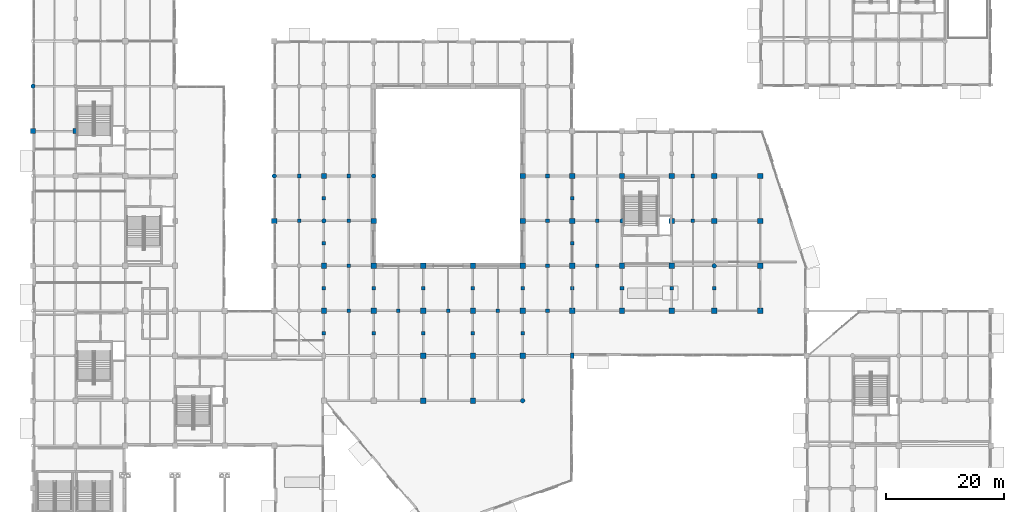
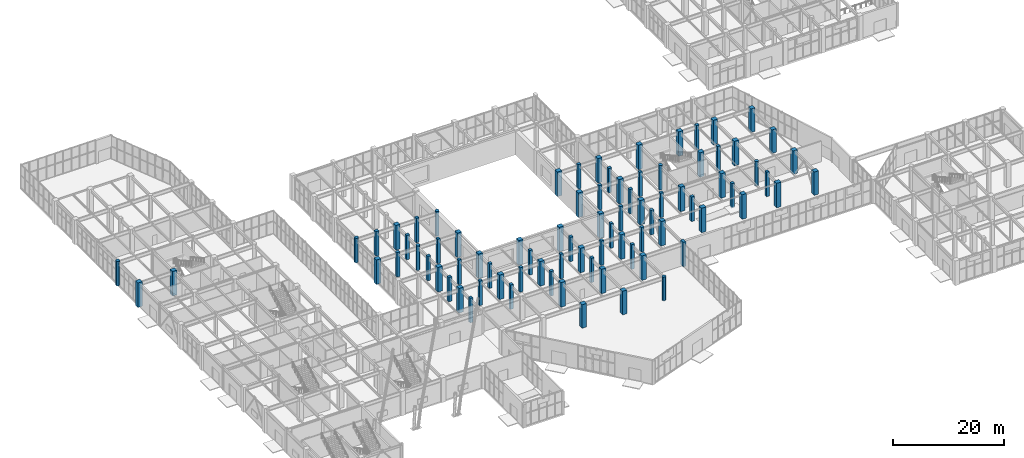
# One storey, part 4 of 139: 83 columns.
"""IFC4 building model written with IfcOpenShell, lengths in metres."""

from ifc_helpers import new_model, si_unit, direction, frame, origin, origin_2d, place, context, subcontext, project, spatial, rectangle, circle, extrude, material, material_profile, profile_set, type_object, element, save


model = new_model("IFC4")

# Units and contexts
model_context = context("Model", 3, precision=1e-05, world=origin(), true_north=direction((0.0, 1.0)))
body_context = subcontext(model_context, "Body", "Model", "MODEL_VIEW")
ifc_project = project(units=[si_unit("LENGTHUNIT", "METRE"), si_unit("AREAUNIT", "SQUARE_METRE"), si_unit("VOLUMEUNIT", "CUBIC_METRE"), si_unit("PLANEANGLEUNIT", "RADIAN"), si_unit("MASSUNIT", "GRAM", prefix="KILO")], contexts=[model_context])

# Site, building, storey
site_placement = place(None, origin())
site = spatial("IfcSite", under=ifc_project, at=site_placement, CompositionType="ELEMENT")
building_placement = place(site_placement, origin())
building = spatial("IfcBuilding", under=site, at=building_placement, Name="Xicomal Pleat Aquarium", CompositionType="ELEMENT")
storey_placement = place(building_placement, origin())
storey = spatial("IfcBuildingStorey", under=building, at=storey_placement, Name="L01", CompositionType="ELEMENT", Elevation=0.0)

# Columns
ifc_material_1 = material(Name="Concrete C40/50", Category="concrete")
ifc_material_profile_1 = material_profile(ifc_material_1, rectangle(XDim=0.60009765625, YDim=0.60009765625, at=origin_2d()), Name="RC 600x600")
ifc_profile_set_1 = profile_set([ifc_material_profile_1], Name="Concrete C40/50")
column_type_1 = type_object("IfcColumnType", Name="COL-RC-600x600", PredefinedType="COLUMN", material=ifc_profile_set_1)
for number, where, z_axis, x_axis, name in (
    (1, (48.0, 53.199951171875, 0.0), (0.0, 0.0, 1.0), (1.0, 0.0, 0.0), "L01 intermediate support column SUB-03"),
    (2, (48.0, 60.800048828125, 0.0), (0.0, 0.0, 1.0), (1.0, 0.0, 0.0), "L01 intermediate support column SUB-04"),
    (3, (56.39990234375, 38.0, 0.0), (0.0, 0.0, 1.0), (1.0, 0.0, 0.0), "L01 intermediate support column SUB-06"),
    (4, (56.39990234375, 45.60009765625, 0.0), (0.0, 0.0, 1.0), (1.0, 0.0, 0.0), "L01 intermediate support column SUB-07"),
    (5, (56.39990234375, 53.199951171875, 0.0), (0.0, 0.0, 1.0), (1.0, 0.0, 0.0), "L01 intermediate support column SUB-08"),
    (6, (56.39990234375, 60.800048828125, 0.0), (0.0, 0.0, 1.0), (1.0, 0.0, 0.0), "L01 intermediate support column SUB-09"),
    (7, (64.800048828125, 38.0, 0.0), (0.0, 0.0, 1.0), (1.0, 0.0, 0.0), "L01 intermediate support column SUB-11"),
    (8, (73.199951171875, 38.0, 0.0), (0.0, 0.0, 1.0), (1.0, 0.0, 0.0), "L01 intermediate support column SUB-12"),
    (9, (81.60009765625, 38.0, 0.0), (0.0, 0.0, 1.0), (1.0, 0.0, 0.0), "L01 intermediate support column SUB-13"),
    (10, (90.0, 38.0, 0.0), (0.0, 0.0, 1.0), (1.0, 0.0, 0.0), "L01 intermediate support column SUB-14"),
    (11, (90.0, 45.60009765625, 0.0), (0.0, 0.0, 1.0), (1.0, 0.0, 0.0), "L01 intermediate support column SUB-15"),
    (12, (90.0, 53.199951171875, 0.0), (0.0, 0.0, 1.0), (1.0, 0.0, 0.0), "L01 intermediate support column SUB-16"),
    (13, (90.0, 60.800048828125, 0.0), (0.0, 0.0, 1.0), (1.0, 0.0, 0.0), "L01 intermediate support column SUB-17"),
    (14, (98.39990234375, 45.60009765625, 0.0), (0.0, 0.0, 1.0), (1.0, 0.0, 0.0), "L01 intermediate support column SUB-20"),
    (15, (98.39990234375, 53.199951171875, 0.0), (0.0, 0.0, 1.0), (1.0, 0.0, 0.0), "L01 intermediate support column SUB-21"),
    (16, (114.60009765625, 53.199951171875, 0.0), (0.0, 0.0, 1.0), (1.0, 0.0, 0.0), "L01 intermediate support column SUB-22"),
    (17, (114.60009765625, 60.800048828125, 0.0), (0.0, 0.0, 1.0), (1.0, 0.0, 0.0), "L01 intermediate support column SUB-23"),
    (18, (52.199951171875, 34.199951171875, 0.0), (0.0, 0.0, 1.0), (1.0, 0.0, 0.0), "L01 intermediate support column SUB-34"),
    (19, (52.199951171875, 41.800048828125, 0.0), (0.0, 0.0, 1.0), (1.0, 0.0, 0.0), "L01 intermediate support column SUB-35"),
    (20, (52.199951171875, 49.39990234375, 0.0), (0.0, 0.0, 1.0), (1.0, 0.0, 0.0), "L01 intermediate support column SUB-36"),
    (21, (52.199951171875, 57.0, 0.0), (0.0, 0.0, 1.0), (1.0, 0.0, 0.0), "L01 intermediate support column SUB-37"),
    (22, (60.60009765625, 34.199951171875, 0.0), (0.0, 0.0, 1.0), (1.0, 0.0, 0.0), "L01 intermediate support column SUB-41"),
    (23, (60.60009765625, 41.800048828125, 0.0), (0.0, 0.0, 1.0), (1.0, 0.0, 0.0), "L01 intermediate support column SUB-42"),
    (24, (69.0, 34.199951171875, 0.0), (0.0, 0.0, 1.0), (1.0, 0.0, 0.0), "L01 intermediate support column SUB-44"),
    (25, (69.0, 41.800048828125, 0.0), (0.0, 0.0, 1.0), (1.0, 0.0, 0.0), "L01 intermediate support column SUB-45"),
    (26, (77.39990234375, 34.199951171875, 0.0), (0.0, 0.0, 1.0), (1.0, 0.0, 0.0), "L01 intermediate support column SUB-47"),
    (27, (77.39990234375, 41.800048828125, 0.0), (0.0, 0.0, 1.0), (1.0, 0.0, 0.0), "L01 intermediate support column SUB-48"),
    (28, (85.800048828125, 34.199951171875, 0.0), (0.0, 0.0, 1.0), (1.0, 0.0, 0.0), "L01 intermediate support column SUB-50"),
    (29, (85.800048828125, 41.800048828125, 0.0), (0.0, 0.0, 1.0), (1.0, 0.0, 0.0), "L01 intermediate support column SUB-51"),
    (30, (94.199951171875, 41.800048828125, 0.0), (0.0, 0.0, 1.0), (1.0, 0.0, 0.0), "L01 intermediate support column SUB-53"),
    (31, (94.199951171875, 49.39990234375, 0.0), (0.0, 0.0, 1.0), (1.0, 0.0, 0.0), "L01 intermediate support column SUB-54"),
    (32, (94.199951171875, 57.0, 0.0), (0.0, 0.0, 1.0), (1.0, 0.0, 0.0), "L01 intermediate support column SUB-55"),
    (33, (102.60009765625, 41.800048828125, 0.0), (0.0, 0.0, 1.0), (1.0, 0.0, 0.0), "L01 intermediate support column SUB-56"),
    (34, (111.0, 41.800048828125, 0.0), (0.0, 0.0, 1.0), (1.0, 0.0, 0.0), "L01 intermediate support column SUB-58"),
    (35, (118.199951171875, 41.800048828125, 0.0), (0.0, 0.0, 1.0), (1.0, 0.0, 0.0), "L01 intermediate support column SUB-60"),
):
    element("IfcColumn", number, at=place(storey_placement, frame(where, z_axis=z_axis, x_axis=x_axis)), inside=storey, type_object=column_type_1, Name=name, PredefinedType="COLUMN", context=body_context, shape_type="SweptSolid", body=[
        extrude(rectangle(XDim=0.60009765625, YDim=0.60009765625, at=origin_2d()), origin(), (0.0, 0.0, 1.0), 5.39990234375),
    ])
ifc_material_2 = material(Name="Concrete C40/50", Category="concrete")
ifc_material_profile_2 = material_profile(ifc_material_2, rectangle(XDim=0.60009765625, YDim=0.89990234375, at=origin_2d()), Name="RC 600x900")
ifc_profile_set_2 = profile_set([ifc_material_profile_2], Name="Concrete C40/50")
column_type_2 = type_object("IfcColumnType", Name="COL-RC-600x900", PredefinedType="COLUMN", material=ifc_profile_set_2)
column_1_placement = place(storey_placement, frame((94.199951171875, 30.39990234375, 0.0), z_axis=(0.0, 0.0, 1.0), x_axis=(1.0, 0.0, 0.0)))
element("IfcColumn", 36, at=column_1_placement, inside=storey, type_object=column_type_2, Name="L01 column 12/E", PredefinedType="COLUMN", context=body_context, shape_type="SweptSolid", body=[
    extrude(rectangle(XDim=0.60009765625, YDim=0.89990234375, at=origin_2d()), origin(), (0.0, 0.0, 1.0), 5.39990234375),
])
ifc_material_3 = material(Name="Concrete C40/50", Category="concrete")
ifc_material_profile_3 = material_profile(ifc_material_3, rectangle(XDim=0.89990234375, YDim=0.89990234375, at=origin_2d()), Name="RC 900x900")
ifc_profile_set_3 = profile_set([ifc_material_profile_3], Name="Concrete C40/50")
column_type_3 = type_object("IfcColumnType", Name="COL-RC-900x900", PredefinedType="COLUMN", material=ifc_profile_set_3)
for number, where, z_axis, x_axis, name in (
    (37, (3.0, 68.39990234375, 0.0), (0.0, 0.0, 1.0), (1.0, 0.0, 0.0), "L01 column 01/K"),
    (38, (10.199951171875, 68.39990234375, 0.0), (0.0, 0.0, 1.0), (1.0, 0.0, 0.0), "L01 column 02/K"),
    (39, (43.800048828125, 53.199951171875, 0.0), (0.0, 0.0, 1.0), (1.0, 0.0, 0.0), "L01 column 06/H"),
    (40, (52.199951171875, 38.0, 0.0), (0.0, 0.0, 1.0), (1.0, 0.0, 0.0), "L01 column 07/F"),
    (41, (52.199951171875, 45.60009765625, 0.0), (0.0, 0.0, 1.0), (1.0, 0.0, 0.0), "L01 column 07/G"),
    (42, (52.199951171875, 60.800048828125, 0.0), (0.0, 0.0, 1.0), (1.0, 0.0, 0.0), "L01 column 07/J"),
    (43, (60.60009765625, 38.0, 0.0), (0.0, 0.0, 1.0), (1.0, 0.0, 0.0), "L01 column 08/F"),
    (44, (60.60009765625, 45.60009765625, 0.0), (0.0, 0.0, 1.0), (1.0, 0.0, 0.0), "L01 column 08/G"),
    (45, (60.60009765625, 53.199951171875, 0.0), (0.0, 0.0, 1.0), (1.0, 0.0, 0.0), "L01 column 08/H"),
):
    element("IfcColumn", number, at=place(storey_placement, frame(where, z_axis=z_axis, x_axis=x_axis)), inside=storey, type_object=column_type_3, Name=name, PredefinedType="COLUMN", context=body_context, shape_type="SweptSolid", body=[
        extrude(rectangle(XDim=0.89990234375, YDim=0.89990234375, at=origin_2d()), origin(), (0.0, 0.0, 1.0), 5.39990234375),
    ])
column_2_placement = place(storey_placement, frame((69.0, 22.800048828125, 0.0), z_axis=(0.0, 0.0, 1.0), x_axis=(1.0, 0.0, 0.0)))
element("IfcColumn", 46, at=column_2_placement, inside=storey, type_object=column_type_3, Name="L01 column 09/D", PredefinedType="COLUMN", context=body_context, shape_type="SweptSolid", body=[
    extrude(rectangle(XDim=0.89990234375, YDim=0.89990234375, at=origin_2d()), origin(), (0.0, 0.0, 1.0), 5.175048828125),
])
for number, where, z_axis, x_axis, name in (
    (47, (69.0, 30.39990234375, 0.0), (0.0, 0.0, 1.0), (1.0, 0.0, 0.0), "L01 column 09/E"),
    (48, (69.0, 38.0, 0.0), (0.0, 0.0, 1.0), (1.0, 0.0, 0.0), "L01 column 09/F"),
    (49, (69.0, 45.60009765625, 0.0), (0.0, 0.0, 1.0), (1.0, 0.0, 0.0), "L01 column 09/G"),
):
    element("IfcColumn", number, at=place(storey_placement, frame(where, z_axis=z_axis, x_axis=x_axis)), inside=storey, type_object=column_type_3, Name=name, PredefinedType="COLUMN", context=body_context, shape_type="SweptSolid", body=[
        extrude(rectangle(XDim=0.89990234375, YDim=0.89990234375, at=origin_2d()), origin(), (0.0, 0.0, 1.0), 5.39990234375),
    ])
column_3_placement = place(storey_placement, frame((77.39990234375, 22.800048828125, 0.0), z_axis=(0.0, 0.0, 1.0), x_axis=(1.0, 0.0, 0.0)))
element("IfcColumn", 50, at=column_3_placement, inside=storey, type_object=column_type_3, Name="L01 column 10/D", PredefinedType="COLUMN", context=body_context, shape_type="SweptSolid", body=[
    extrude(rectangle(XDim=0.89990234375, YDim=0.89990234375, at=origin_2d()), origin(), (0.0, 0.0, 1.0), 5.175048828125),
])
for number, where, z_axis, x_axis, name in (
    (51, (77.39990234375, 30.39990234375, 0.0), (0.0, 0.0, 1.0), (1.0, 0.0, 0.0), "L01 column 10/E"),
    (52, (77.39990234375, 38.0, 0.0), (0.0, 0.0, 1.0), (1.0, 0.0, 0.0), "L01 column 10/F"),
    (53, (77.39990234375, 45.60009765625, 0.0), (0.0, 0.0, 1.0), (1.0, 0.0, 0.0), "L01 column 10/G"),
    (54, (85.800048828125, 30.39990234375, 0.0), (0.0, 0.0, 1.0), (1.0, 0.0, 0.0), "L01 column 11/E"),
    (55, (85.800048828125, 38.0, 0.0), (0.0, 0.0, 1.0), (1.0, 0.0, 0.0), "L01 column 11/F"),
    (56, (85.800048828125, 45.60009765625, 0.0), (0.0, 0.0, 1.0), (1.0, 0.0, 0.0), "L01 column 11/G"),
    (57, (85.800048828125, 53.199951171875, 0.0), (0.0, 0.0, 1.0), (1.0, 0.0, 0.0), "L01 column 11/H"),
    (58, (85.800048828125, 60.800048828125, 0.0), (0.0, 0.0, 1.0), (1.0, 0.0, 0.0), "L01 column 11/J"),
    (59, (94.199951171875, 38.0, 0.0), (0.0, 0.0, 1.0), (1.0, 0.0, 0.0), "L01 column 12/F"),
    (60, (94.199951171875, 45.60009765625, 0.0), (0.0, 0.0, 1.0), (1.0, 0.0, 0.0), "L01 column 12/G"),
    (61, (94.199951171875, 53.199951171875, 0.0), (0.0, 0.0, 1.0), (1.0, 0.0, 0.0), "L01 column 12/H"),
    (62, (94.199951171875, 60.800048828125, 0.0), (0.0, 0.0, 1.0), (1.0, 0.0, 0.0), "L01 column 12/J"),
    (63, (102.60009765625, 38.0, 0.0), (0.0, 0.0, 1.0), (1.0, 0.0, 0.0), "L01 column 13/F"),
    (64, (102.60009765625, 45.60009765625, 0.0), (0.0, 0.0, 1.0), (1.0, 0.0, 0.0), "L01 column 13/G"),
    (65, (102.60009765625, 60.800048828125, 0.0), (0.0, 0.0, 1.0), (1.0, 0.0, 0.0), "L01 column 13/J"),
    (66, (111.0, 38.0, 0.0), (0.0, 0.0, 1.0), (1.0, 0.0, 0.0), "L01 column 14/F"),
    (67, (111.0, 45.60009765625, 0.0), (0.0, 0.0, 1.0), (1.0, 0.0, 0.0), "L01 column 14/G"),
    (68, (111.0, 53.199951171875, 0.0), (0.0, 0.0, 1.0), (1.0, 0.0, 0.0), "L01 column 14/H"),
    (69, (111.0, 60.800048828125, 0.0), (0.0, 0.0, 1.0), (1.0, 0.0, 0.0), "L01 column 14/J"),
    (70, (118.199951171875, 38.0, 0.0), (0.0, 0.0, 1.0), (1.0, 0.0, 0.0), "L01 column 15/F"),
    (71, (118.199951171875, 53.199951171875, 0.0), (0.0, 0.0, 1.0), (1.0, 0.0, 0.0), "L01 column 15/H"),
    (72, (118.199951171875, 60.800048828125, 0.0), (0.0, 0.0, 1.0), (1.0, 0.0, 0.0), "L01 column 15/J"),
):
    element("IfcColumn", number, at=place(storey_placement, frame(where, z_axis=z_axis, x_axis=x_axis)), inside=storey, type_object=column_type_3, Name=name, PredefinedType="COLUMN", context=body_context, shape_type="SweptSolid", body=[
        extrude(rectangle(XDim=0.89990234375, YDim=0.89990234375, at=origin_2d()), origin(), (0.0, 0.0, 1.0), 5.39990234375),
    ])
for number, where, z_axis, x_axis, name in (
    (73, (126.0, 38.0, 0.0), (0.0, 0.0, 1.0), (1.0, 0.0, 0.0), "L01 column 16/F"),
    (74, (126.0, 45.60009765625, 0.0), (0.0, 0.0, 1.0), (1.0, 0.0, 0.0), "L01 column 16/G"),
    (75, (126.0, 53.199951171875, 0.0), (0.0, 0.0, 1.0), (1.0, 0.0, 0.0), "L01 column 16/H"),
    (76, (126.0, 60.800048828125, 0.0), (0.0, 0.0, 1.0), (1.0, 0.0, 0.0), "L01 column 16/J"),
):
    element("IfcColumn", number, at=place(storey_placement, frame(where, z_axis=z_axis, x_axis=x_axis)), inside=storey, type_object=column_type_3, Name=name, PredefinedType="COLUMN", context=body_context, shape_type="SweptSolid", body=[
        extrude(rectangle(XDim=0.89990234375, YDim=0.89990234375, at=origin_2d()), origin(), (0.0, 0.0, 1.0), 5.159912109375),
    ])
ifc_material_4 = material(Name="Concrete C40/50", Category="concrete")
ifc_material_profile_4 = material_profile(ifc_material_4, circle(Radius=0.375, at=origin_2d()), Name="RCC D750")
ifc_profile_set_4 = profile_set([ifc_material_profile_4], Name="Concrete C40/50")
column_type_4 = type_object("IfcColumnType", Name="COL-RCC-D750", PredefinedType="COLUMN", material=ifc_profile_set_4)
for number, where, z_axis, x_axis, name in (
    (77, (3.0, 76.0, 0.0), (0.0, 0.0, 1.0), (1.0, 0.0, 0.0), "L01 column 01/L"),
    (78, (43.800048828125, 60.800048828125, 0.0), (0.0, 0.0, 1.0), (1.0, 0.0, 0.0), "L01 column 06/J"),
    (79, (52.199951171875, 53.199951171875, 0.0), (0.0, 0.0, 1.0), (1.0, 0.0, 0.0), "L01 column 07/H"),
    (80, (60.60009765625, 60.800048828125, 0.0), (0.0, 0.0, 1.0), (1.0, 0.0, 0.0), "L01 column 08/J"),
):
    element("IfcColumn", number, at=place(storey_placement, frame(where, z_axis=z_axis, x_axis=x_axis)), inside=storey, type_object=column_type_4, Name=name, PredefinedType="COLUMN", context=body_context, shape_type="SweptSolid", body=[
        extrude(circle(Radius=0.375, at=origin_2d()), origin(), (0.0, 0.0, 1.0), 5.39990234375),
    ])
column_4_placement = place(storey_placement, frame((85.800048828125, 22.800048828125, 0.0), z_axis=(0.0, 0.0, 1.0), x_axis=(1.0, 0.0, 0.0)))
element("IfcColumn", 81, at=column_4_placement, inside=storey, type_object=column_type_4, Name="L01 column 11/D", PredefinedType="COLUMN", context=body_context, shape_type="SweptSolid", body=[
    extrude(circle(Radius=0.375, at=origin_2d()), origin(), (0.0, 0.0, 1.0), 5.175048828125),
])
for number, where, z_axis, x_axis, name in (
    (82, (102.60009765625, 53.199951171875, 0.0), (0.0, 0.0, 1.0), (1.0, 0.0, 0.0), "L01 column 13/H"),
    (83, (118.199951171875, 45.60009765625, 0.0), (0.0, 0.0, 1.0), (1.0, 0.0, 0.0), "L01 column 15/G"),
):
    element("IfcColumn", number, at=place(storey_placement, frame(where, z_axis=z_axis, x_axis=x_axis)), inside=storey, type_object=column_type_4, Name=name, PredefinedType="COLUMN", context=body_context, shape_type="SweptSolid", body=[
        extrude(circle(Radius=0.375, at=origin_2d()), origin(), (0.0, 0.0, 1.0), 5.39990234375),
    ])

save(model, "model.ifc")
